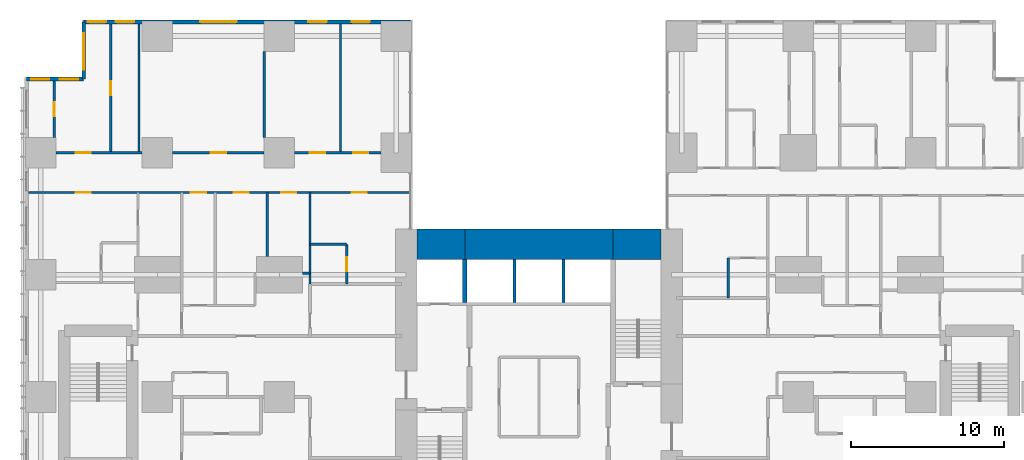
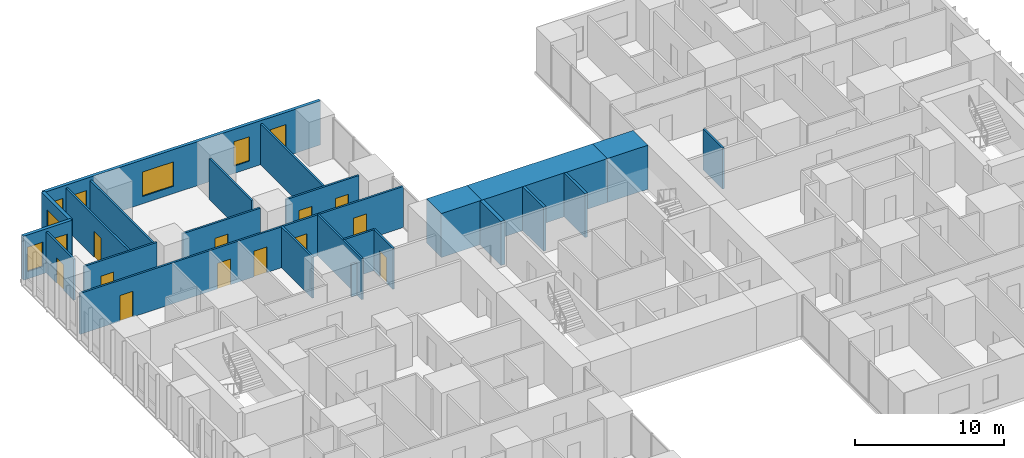
# One storey, part 17 of 21: 24 walls, 12 doors, 8 windows, 20 openings.
"""IFC4 building model written with IfcOpenShell, lengths in metres."""

from ifc_helpers import new_model, si_unit, direction, frame, frame_2d, origin, place, context, subcontext, project, spatial, rectangle, extrude, material, layer, layer_set, type_object, element, fill, save


model = new_model("IFC4")

# Units and contexts
model_context = context("Model", 3, precision=1e-05, world=origin(), true_north=direction((0.0, 1.0)))
body_context = subcontext(model_context, "Body", "Model", "MODEL_VIEW")
ifc_project = project(units=[si_unit("LENGTHUNIT", "METRE"), si_unit("AREAUNIT", "SQUARE_METRE"), si_unit("VOLUMEUNIT", "CUBIC_METRE"), si_unit("PLANEANGLEUNIT", "RADIAN"), si_unit("MASSUNIT", "GRAM", prefix="KILO")], contexts=[model_context])

# Site, building, storey
site_placement = place(None, origin())
site = spatial("IfcSite", under=ifc_project, at=site_placement, CompositionType="ELEMENT")
building_placement = place(site_placement, origin())
building = spatial("IfcBuilding", under=site, at=building_placement, Name="Cleftline Residences", CompositionType="ELEMENT")
storey_placement = place(building_placement, frame((0.0, 0.0, 65.60009765625)))
storey = spatial("IfcBuildingStorey", under=building, at=storey_placement, Name="L16", CompositionType="ELEMENT", Elevation=65.60009765625)

# Walls
ifc_material_1 = material(Name="Concrete B70", Category="concrete")
ifc_layer_1 = layer(ifc_material_1, 2.0)
ifc_layer_set_1 = layer_set([ifc_layer_1], Name="CORE WALL 2000")
wall_type_1 = type_object("IfcWallType", Name="CORE WALL 2000", PredefinedType="SHEAR", material=ifc_layer_set_1)
wall_1_placement = place(storey_placement, frame((25.0, 34.0, 0.0), z_axis=(0.0, 0.0, 1.0), x_axis=(1.0, 0.0, 0.0)))
element("IfcWall", 1, at=wall_1_placement, inside=storey, type_object=wall_type_1, Name="Core wall N1", PredefinedType="SHEAR", context=body_context, shape_type="SweptSolid", body=[
    extrude(rectangle(XDim=3.14990234375, YDim=2.0, at=frame_2d((1.574951171875, 0.0))), origin(), (0.0, 0.0, 1.0), 3.599853515625),
])
wall_2_placement = place(storey_placement, frame((28.14990234375, 34.0, 0.0), z_axis=(0.0, 0.0, 1.0), x_axis=(1.0, 0.0, 0.0)))
element("IfcWall", 2, at=wall_2_placement, inside=storey, type_object=wall_type_1, Name="Core wall N2", PredefinedType="SHEAR", context=body_context, shape_type="SweptSolid", body=[
    extrude(rectangle(XDim=9.7001953125, YDim=2.0, at=frame_2d((4.85009765625, 0.0))), origin(), (0.0, 0.0, 1.0), 3.599853515625),
])
wall_3_placement = place(storey_placement, frame((37.85009765625, 34.0, 0.0), z_axis=(0.0, 0.0, 1.0), x_axis=(1.0, 0.0, 0.0)))
element("IfcWall", 3, at=wall_3_placement, inside=storey, type_object=wall_type_1, Name="Core wall N3", PredefinedType="SHEAR", context=body_context, shape_type="SweptSolid", body=[
    extrude(rectangle(XDim=3.14990234375, YDim=2.0, at=frame_2d((1.574951171875, 0.0))), origin(), (0.0, 0.0, 1.0), 3.599853515625),
])
ifc_material_2 = material(Name="Concrete B70", Category="concrete")
ifc_layer_2 = layer(ifc_material_2, 0.300048828125)
ifc_layer_set_2 = layer_set([ifc_layer_2], Name="CORE WALL 300")
wall_type_2 = type_object("IfcWallType", Name="CORE WALL 300", PredefinedType="SHEAR", material=ifc_layer_set_2)
wall_4_placement = place(storey_placement, frame((28.14990234375, 30.199951171875, 0.0), z_axis=(0.0, 0.0, 1.0), x_axis=(0.0, 1.0, 0.0)))
element("IfcWall", 4, at=wall_4_placement, inside=storey, type_object=wall_type_2, Name="Lift shaft wall", PredefinedType="SHEAR", context=body_context, shape_type="SweptSolid", body=[
    extrude(rectangle(XDim=2.800048828125, YDim=0.300048828125, at=frame_2d((1.39990234375, 0.0))), origin(), (0.0, 0.0, 1.0), 3.599853515625),
])

# Wall, openings, windows
ifc_material_3 = material(Name="Rendered reinforced concrete blockwork", Category="masonry")
ifc_layer_3 = layer(ifc_material_3, 0.25)
ifc_layer_set_3 = layer_set([ifc_layer_3], Name="EXTERNAL WALL 250")
wall_type_3 = type_object("IfcWallType", Name="EXTERNAL WALL 250", PredefinedType="SOLIDWALL", material=ifc_layer_set_3)
wall_5_placement = place(storey_placement, frame((24.574951171875, 48.574951171875, 0.0), z_axis=(0.0, 0.0, 1.0), x_axis=(-1.0, 0.0, 0.0)))
wall_5 = element("IfcWall", 5, at=wall_5_placement, inside=storey, type_object=wall_type_3, Name="External wall", PredefinedType="SOLIDWALL", context=body_context, shape_type="SweptSolid", body=[
    extrude(rectangle(XDim=21.39990234375, YDim=0.25, at=frame_2d((10.699951171875, 0.0))), origin(), (0.0, 0.0, 1.0), 3.599853515625),
])
opening_1_placement = place(wall_5_placement, frame((2.64990234375, 0.0, 0.60009765625)))
opening_1 = element("IfcOpeningElement", 6, at=opening_1_placement, cuts=wall_5, Name="Opening W8", PredefinedType="OPENING", context=body_context, shape_type="SweptSolid", body=[
    extrude(rectangle(XDim=1.199951171875, YDim=2.0, at=frame_2d((0.60009765625, 1.0))), frame((0.0, 0.135009765625, 0.0), z_axis=(0.0, -1.0, 0.0), x_axis=(1.0, 0.0, 0.0)), (0.0, 0.0, 1.0), 0.27001953125),
])
opening_2_placement = place(wall_5_placement, frame((5.47509765625, 0.0, 0.60009765625)))
opening_2 = element("IfcOpeningElement", 7, at=opening_2_placement, cuts=wall_5, Name="Opening W8", PredefinedType="OPENING", context=body_context, shape_type="SweptSolid", body=[
    extrude(rectangle(XDim=1.199951171875, YDim=2.0, at=frame_2d((0.60009765625, 1.0))), frame((0.0, 0.135009765625, 0.0), z_axis=(0.0, -1.0, 0.0), x_axis=(1.0, 0.0, 0.0)), (0.0, 0.0, 1.0), 0.27001953125),
])
opening_3_placement = place(wall_5_placement, frame((11.375, 0.0, 0.60009765625)))
opening_3 = element("IfcOpeningElement", 8, at=opening_3_placement, cuts=wall_5, Name="Opening W6", PredefinedType="OPENING", context=body_context, shape_type="SweptSolid", body=[
    extrude(rectangle(XDim=2.39990234375, YDim=2.0, at=frame_2d((1.199951171875, 1.0))), frame((0.0, 0.135009765625, 0.0), z_axis=(0.0, -1.0, 0.0), x_axis=(1.0, 0.0, 0.0)), (0.0, 0.0, 1.0), 0.27001953125),
])
opening_4_placement = place(wall_5_placement, frame((18.10009765625, 0.0, 0.60009765625)))
opening_4 = element("IfcOpeningElement", 9, at=opening_4_placement, cuts=wall_5, Name="Opening W8", PredefinedType="OPENING", context=body_context, shape_type="SweptSolid", body=[
    extrude(rectangle(XDim=1.199951171875, YDim=2.0, at=frame_2d((0.60009765625, 1.0))), frame((0.0, 0.135009765625, 0.0), z_axis=(0.0, -1.0, 0.0), x_axis=(1.0, 0.0, 0.0)), (0.0, 0.0, 1.0), 0.27001953125),
])
opening_5_placement = place(wall_5_placement, frame((19.925048828125, 0.0, 0.60009765625)))
opening_5 = element("IfcOpeningElement", 10, at=opening_5_placement, cuts=wall_5, Name="Opening W8", PredefinedType="OPENING", context=body_context, shape_type="SweptSolid", body=[
    extrude(rectangle(XDim=1.199951171875, YDim=2.0, at=frame_2d((0.60009765625, 1.0))), frame((0.0, 0.135009765625, 0.0), z_axis=(0.0, -1.0, 0.0), x_axis=(1.0, 0.0, 0.0)), (0.0, 0.0, 1.0), 0.27001953125),
])
ifc_material_4 = material(Name="Aluminium frame, clear double glazing", Category="aluminium")
window_type_1 = type_object("IfcWindowType", Name="WINDOW 1200X2000", PartitioningType="DOUBLE_PANEL_VERTICAL", PredefinedType="WINDOW", material=ifc_material_4)
window_1_placement = place(opening_1_placement, origin())
window_1 = element("IfcWindow", 11, at=window_1_placement, inside=storey, type_object=window_type_1, Name="Window", OverallHeight=2.0, OverallWidth=1.199951171875, PartitioningType="SINGLE_PANEL", PredefinedType="WINDOW", context=body_context, shape_type="SweptSolid", body=[
    extrude(rectangle(XDim=1.199951171875, YDim=2.0, at=frame_2d((0.60009765625, 1.0))), frame((0.0, 0.030029296875, 0.0), z_axis=(0.0, -1.0, 0.0), x_axis=(1.0, 0.0, 0.0)), (0.0, 0.0, 1.0), 0.06005859375),
])
fill(opening_1, window_1)
window_2_placement = place(opening_2_placement, origin())
window_2 = element("IfcWindow", 12, at=window_2_placement, inside=storey, type_object=window_type_1, Name="Window", OverallHeight=2.0, OverallWidth=1.199951171875, PartitioningType="SINGLE_PANEL", PredefinedType="WINDOW", context=body_context, shape_type="SweptSolid", body=[
    extrude(rectangle(XDim=1.199951171875, YDim=2.0, at=frame_2d((0.60009765625, 1.0))), frame((0.0, 0.030029296875, 0.0), z_axis=(0.0, -1.0, 0.0), x_axis=(1.0, 0.0, 0.0)), (0.0, 0.0, 1.0), 0.06005859375),
])
fill(opening_2, window_2)
window_3_placement = place(opening_4_placement, origin())
window_3 = element("IfcWindow", 13, at=window_3_placement, inside=storey, type_object=window_type_1, Name="Window", OverallHeight=2.0, OverallWidth=1.199951171875, PartitioningType="SINGLE_PANEL", PredefinedType="WINDOW", context=body_context, shape_type="SweptSolid", body=[
    extrude(rectangle(XDim=1.199951171875, YDim=2.0, at=frame_2d((0.60009765625, 1.0))), frame((0.0, 0.030029296875, 0.0), z_axis=(0.0, -1.0, 0.0), x_axis=(1.0, 0.0, 0.0)), (0.0, 0.0, 1.0), 0.06005859375),
])
fill(opening_4, window_3)
window_4_placement = place(opening_5_placement, origin())
window_4 = element("IfcWindow", 14, at=window_4_placement, inside=storey, type_object=window_type_1, Name="Window", OverallHeight=2.0, OverallWidth=1.199951171875, PartitioningType="SINGLE_PANEL", PredefinedType="WINDOW", context=body_context, shape_type="SweptSolid", body=[
    extrude(rectangle(XDim=1.199951171875, YDim=2.0, at=frame_2d((0.60009765625, 1.0))), frame((0.0, 0.030029296875, 0.0), z_axis=(0.0, -1.0, 0.0), x_axis=(1.0, 0.0, 0.0)), (0.0, 0.0, 1.0), 0.06005859375),
])
fill(opening_5, window_4)
ifc_material_5 = material(Name="Aluminium frame, clear double glazing", Category="aluminium")
window_type_2 = type_object("IfcWindowType", Name="WINDOW 2400X2000", PartitioningType="DOUBLE_PANEL_VERTICAL", PredefinedType="WINDOW", material=ifc_material_5)
window_5_placement = place(opening_3_placement, origin())
window_5 = element("IfcWindow", 15, at=window_5_placement, inside=storey, type_object=window_type_2, Name="Window", OverallHeight=2.0, OverallWidth=2.39990234375, PartitioningType="SINGLE_PANEL", PredefinedType="WINDOW", context=body_context, shape_type="SweptSolid", body=[
    extrude(rectangle(XDim=2.39990234375, YDim=2.0, at=frame_2d((1.199951171875, 1.0))), frame((0.0, 0.030029296875, 0.0), z_axis=(0.0, -1.0, 0.0), x_axis=(1.0, 0.0, 0.0)), (0.0, 0.0, 1.0), 0.06005859375),
])
fill(opening_3, window_5)

# Wall, opening, window
wall_6_placement = place(storey_placement, frame((3.175048828125, 48.574951171875, 0.0), z_axis=(0.0, 0.0, 1.0), x_axis=(0.0, -1.0, 0.0)))
wall_6 = element("IfcWall", 16, at=wall_6_placement, inside=storey, type_object=wall_type_3, Name="External wall", PredefinedType="SOLIDWALL", context=body_context, shape_type="SweptSolid", body=[
    extrude(rectangle(XDim=3.75, YDim=0.25, at=frame_2d((1.875, 0.0))), origin(), (0.0, 0.0, 1.0), 3.599853515625),
])
opening_6_placement = place(wall_6_placement, frame((0.737548828125, 0.0, 0.60009765625)))
opening_6 = element("IfcOpeningElement", 17, at=opening_6_placement, cuts=wall_6, Name="Opening W6", PredefinedType="OPENING", context=body_context, shape_type="SweptSolid", body=[
    extrude(rectangle(XDim=2.39990234375, YDim=2.0, at=frame_2d((1.199951171875, 1.0))), frame((0.0, 0.135009765625, 0.0), z_axis=(0.0, -1.0, 0.0), x_axis=(1.0, 0.0, 0.0)), (0.0, 0.0, 1.0), 0.27001953125),
])
window_6_placement = place(opening_6_placement, origin())
window_6 = element("IfcWindow", 18, at=window_6_placement, inside=storey, type_object=window_type_2, Name="Window", OverallHeight=2.0, OverallWidth=2.39990234375, PartitioningType="SINGLE_PANEL", PredefinedType="WINDOW", context=body_context, shape_type="SweptSolid", body=[
    extrude(rectangle(XDim=2.39990234375, YDim=2.0, at=frame_2d((1.199951171875, 1.0))), frame((0.0, 0.030029296875, 0.0), z_axis=(0.0, -1.0, 0.0), x_axis=(1.0, 0.0, 0.0)), (0.0, 0.0, 1.0), 0.06005859375),
])
fill(opening_6, window_6)

# Wall, openings, windows
wall_7_placement = place(storey_placement, frame((3.175048828125, 44.824951171875, 0.0), z_axis=(0.0, 0.0, 1.0), x_axis=(-1.0, 0.0, 0.0)))
wall_7 = element("IfcWall", 19, at=wall_7_placement, inside=storey, type_object=wall_type_3, Name="External wall", PredefinedType="SOLIDWALL", context=body_context, shape_type="SweptSolid", body=[
    extrude(rectangle(XDim=3.75, YDim=0.25, at=frame_2d((1.875, 0.0))), origin(), (0.0, 0.0, 1.0), 3.599853515625),
])
opening_7_placement = place(wall_7_placement, frame((0.362548828125, 0.0, 0.60009765625)))
opening_7 = element("IfcOpeningElement", 20, at=opening_7_placement, cuts=wall_7, Name="Opening W8", PredefinedType="OPENING", context=body_context, shape_type="SweptSolid", body=[
    extrude(rectangle(XDim=1.199951171875, YDim=2.0, at=frame_2d((0.60009765625, 1.0))), frame((0.0, 0.135009765625, 0.0), z_axis=(0.0, -1.0, 0.0), x_axis=(1.0, 0.0, 0.0)), (0.0, 0.0, 1.0), 0.27001953125),
])
opening_8_placement = place(wall_7_placement, frame((2.25, 0.0, 0.60009765625)))
opening_8 = element("IfcOpeningElement", 21, at=opening_8_placement, cuts=wall_7, Name="Opening W8", PredefinedType="OPENING", context=body_context, shape_type="SweptSolid", body=[
    extrude(rectangle(XDim=1.199951171875, YDim=2.0, at=frame_2d((0.60009765625, 1.0))), frame((0.0, 0.135009765625, 0.0), z_axis=(0.0, -1.0, 0.0), x_axis=(1.0, 0.0, 0.0)), (0.0, 0.0, 1.0), 0.27001953125),
])
window_7_placement = place(opening_7_placement, origin())
window_7 = element("IfcWindow", 22, at=window_7_placement, inside=storey, type_object=window_type_1, Name="Window", OverallHeight=2.0, OverallWidth=1.199951171875, PartitioningType="SINGLE_PANEL", PredefinedType="WINDOW", context=body_context, shape_type="SweptSolid", body=[
    extrude(rectangle(XDim=1.199951171875, YDim=2.0, at=frame_2d((0.60009765625, 1.0))), frame((0.0, 0.030029296875, 0.0), z_axis=(0.0, -1.0, 0.0), x_axis=(1.0, 0.0, 0.0)), (0.0, 0.0, 1.0), 0.06005859375),
])
fill(opening_7, window_7)
window_8_placement = place(opening_8_placement, origin())
window_8 = element("IfcWindow", 23, at=window_8_placement, inside=storey, type_object=window_type_1, Name="Window", OverallHeight=2.0, OverallWidth=1.199951171875, PartitioningType="SINGLE_PANEL", PredefinedType="WINDOW", context=body_context, shape_type="SweptSolid", body=[
    extrude(rectangle(XDim=1.199951171875, YDim=2.0, at=frame_2d((0.60009765625, 1.0))), frame((0.0, 0.030029296875, 0.0), z_axis=(0.0, -1.0, 0.0), x_axis=(1.0, 0.0, 0.0)), (0.0, 0.0, 1.0), 0.06005859375),
])
fill(opening_8, window_8)

# Walls
ifc_material_6 = material(Name="Gypsum board on steel studs", Category="steel")
ifc_layer_4 = layer(ifc_material_6, 0.14990234375)
ifc_layer_set_4 = layer_set([ifc_layer_4], Name="PARTITION 150")
wall_type_4 = type_object("IfcWallType", Name="PARTITION 150", PredefinedType="PARTITIONING", material=ifc_layer_set_4)
wall_8_placement = place(storey_placement, frame((17.5, 32.10009765625, 0.0), z_axis=(0.0, 0.0, 1.0), x_axis=(1.0, 0.0, 0.0)))
element("IfcWall", 24, at=wall_8_placement, inside=storey, type_object=wall_type_4, Name="Partition", PredefinedType="PARTITIONING", context=body_context, shape_type="SweptSolid", body=[
    extrude(rectangle(XDim=0.5, YDim=0.14990234375, at=frame_2d((0.25, 0.0))), origin(), (0.0, 0.0, 1.0), 2.6337890625),
])
wall_9_placement = place(storey_placement, frame((18.0, 34.0, 0.0), z_axis=(0.0, 0.0, 1.0), x_axis=(1.0, 0.0, 0.0)))
element("IfcWall", 25, at=wall_9_placement, inside=storey, type_object=wall_type_4, Name="Partition", PredefinedType="PARTITIONING", context=body_context, shape_type="SweptSolid", body=[
    extrude(rectangle(XDim=2.39990234375, YDim=0.14990234375, at=frame_2d((1.199951171875, 0.0))), origin(), (0.0, 0.0, 1.0), 3.349853515625),
])

# Wall, openings, doors
wall_10_placement = place(storey_placement, frame((-0.449951171875, 37.39990234375, 0.0), z_axis=(0.0, 0.0, 1.0), x_axis=(1.0, 0.0, 0.0)))
wall_10 = element("IfcWall", 26, at=wall_10_placement, inside=storey, type_object=wall_type_4, Name="Partition", PredefinedType="PARTITIONING", context=body_context, shape_type="SweptSolid", body=[
    extrude(rectangle(XDim=25.010986328125, YDim=0.14990234375, at=frame_2d((12.50537109375, 0.0))), origin(), (0.0, 0.0, 1.0), 3.349853515625),
])
opening_9_placement = place(wall_10_placement, frame((10.64990234375, 0.0, 0.0)))
opening_9 = element("IfcOpeningElement", 27, at=opening_9_placement, cuts=wall_10, Name="Opening D2", PredefinedType="OPENING", context=body_context, shape_type="SweptSolid", body=[
    extrude(rectangle(XDim=1.0, YDim=2.10009765625, at=frame_2d((0.5, 1.050048828125))), frame((0.0, 0.0849609375, 0.0), z_axis=(0.0, -1.0, 0.0), x_axis=(1.0, 0.0, 0.0)), (0.0, 0.0, 1.0), 0.169921875),
])
opening_10_placement = place(wall_10_placement, frame((3.08740234375, 0.0, 0.0)))
opening_10 = element("IfcOpeningElement", 28, at=opening_10_placement, cuts=wall_10, Name="Opening D2", PredefinedType="OPENING", context=body_context, shape_type="SweptSolid", body=[
    extrude(rectangle(XDim=1.0, YDim=2.10009765625, at=frame_2d((0.5, 1.050048828125))), frame((0.0, 0.0849609375, 0.0), z_axis=(0.0, -1.0, 0.0), x_axis=(1.0, 0.0, 0.0)), (0.0, 0.0, 1.0), 0.169921875),
])
opening_11_placement = place(wall_10_placement, frame((13.449951171875, 0.0, 0.0)))
opening_11 = element("IfcOpeningElement", 29, at=opening_11_placement, cuts=wall_10, Name="Opening D2", PredefinedType="OPENING", context=body_context, shape_type="SweptSolid", body=[
    extrude(rectangle(XDim=1.0, YDim=2.10009765625, at=frame_2d((0.5, 1.050048828125))), frame((0.0, 0.0849609375, 0.0), z_axis=(0.0, -1.0, 0.0), x_axis=(1.0, 0.0, 0.0)), (0.0, 0.0, 1.0), 0.169921875),
])
opening_12_placement = place(wall_10_placement, frame((16.550048828125, 0.0, 0.0)))
opening_12 = element("IfcOpeningElement", 30, at=opening_12_placement, cuts=wall_10, Name="Opening D2", PredefinedType="OPENING", context=body_context, shape_type="SweptSolid", body=[
    extrude(rectangle(XDim=1.0, YDim=2.10009765625, at=frame_2d((0.5, 1.050048828125))), frame((0.0, 0.0849609375, 0.0), z_axis=(0.0, -1.0, 0.0), x_axis=(1.0, 0.0, 0.0)), (0.0, 0.0, 1.0), 0.169921875),
])
opening_13_placement = place(wall_10_placement, frame((21.175048828125, 0.0, 0.0)))
opening_13 = element("IfcOpeningElement", 31, at=opening_13_placement, cuts=wall_10, Name="Opening D2", PredefinedType="OPENING", context=body_context, shape_type="SweptSolid", body=[
    extrude(rectangle(XDim=1.0, YDim=2.10009765625, at=frame_2d((0.5, 1.050048828125))), frame((0.0, 0.0849609375, 0.0), z_axis=(0.0, -1.0, 0.0), x_axis=(1.0, 0.0, 0.0)), (0.0, 0.0, 1.0), 0.169921875),
])
ifc_material_7 = material(Name="Timber veneer on solid core", Category="wood")
door_type_1 = type_object("IfcDoorType", Name="DOOR 1000X2100", OperationType="SINGLE_SWING_LEFT", PredefinedType="DOOR", material=ifc_material_7)
door_1_placement = place(opening_9_placement, origin())
door_1 = element("IfcDoor", 32, at=door_1_placement, inside=storey, type_object=door_type_1, Name="Door to residence hall", OperationType="SINGLE_SWING_RIGHT", OverallHeight=2.10009765625, OverallWidth=1.0, PredefinedType="DOOR", context=body_context, shape_type="SweptSolid", body=[
    extrude(rectangle(XDim=1.0, YDim=2.10009765625, at=frame_2d((0.5, 1.050048828125))), frame((0.0, 0.02490234375, 0.0), z_axis=(0.0, -1.0, 0.0), x_axis=(1.0, 0.0, 0.0)), (0.0, 0.0, 1.0), 0.050048828125),
])
fill(opening_9, door_1)
door_2_placement = place(opening_10_placement, origin())
door_2 = element("IfcDoor", 33, at=door_2_placement, inside=storey, type_object=door_type_1, Name="Door to master bedroom", OperationType="SINGLE_SWING_RIGHT", OverallHeight=2.10009765625, OverallWidth=1.0, PredefinedType="DOOR", context=body_context, shape_type="SweptSolid", body=[
    extrude(rectangle(XDim=1.0, YDim=2.10009765625, at=frame_2d((0.5, 1.050048828125))), frame((0.0, 0.02490234375, 0.0), z_axis=(0.0, -1.0, 0.0), x_axis=(1.0, 0.0, 0.0)), (0.0, 0.0, 1.0), 0.050048828125),
])
fill(opening_10, door_2)
door_3_placement = place(opening_11_placement, origin())
door_3 = element("IfcDoor", 34, at=door_3_placement, inside=storey, type_object=door_type_1, Name="Door to family room", OperationType="SINGLE_SWING_LEFT", OverallHeight=2.10009765625, OverallWidth=1.0, PredefinedType="DOOR", context=body_context, shape_type="SweptSolid", body=[
    extrude(rectangle(XDim=1.0, YDim=2.10009765625, at=frame_2d((0.5, 1.050048828125))), frame((0.0, 0.02490234375, 0.0), z_axis=(0.0, -1.0, 0.0), x_axis=(1.0, 0.0, 0.0)), (0.0, 0.0, 1.0), 0.050048828125),
])
fill(opening_11, door_3)
door_4_placement = place(opening_12_placement, origin())
door_4 = element("IfcDoor", 35, at=door_4_placement, inside=storey, type_object=door_type_1, Name="Door to wet kitchen", OperationType="SINGLE_SWING_LEFT", OverallHeight=2.10009765625, OverallWidth=1.0, PredefinedType="DOOR", context=body_context, shape_type="SweptSolid", body=[
    extrude(rectangle(XDim=1.0, YDim=2.10009765625, at=frame_2d((0.5, 1.050048828125))), frame((0.0, 0.02490234375, 0.0), z_axis=(0.0, -1.0, 0.0), x_axis=(1.0, 0.0, 0.0)), (0.0, 0.0, 1.0), 0.050048828125),
])
fill(opening_12, door_4)
door_5_placement = place(opening_13_placement, origin())
door_5 = element("IfcDoor", 36, at=door_5_placement, inside=storey, type_object=door_type_1, Name="Door to bedroom 3", OperationType="SINGLE_SWING_LEFT", OverallHeight=2.10009765625, OverallWidth=1.0, PredefinedType="DOOR", context=body_context, shape_type="SweptSolid", body=[
    extrude(rectangle(XDim=1.0, YDim=2.10009765625, at=frame_2d((0.5, 1.050048828125))), frame((0.0, 0.02490234375, 0.0), z_axis=(0.0, -1.0, 0.0), x_axis=(1.0, 0.0, 0.0)), (0.0, 0.0, 1.0), 0.050048828125),
])
fill(opening_13, door_5)

# Wall, opening, door
wall_11_placement = place(storey_placement, frame((1.35009765625, 40.0, 0.0), z_axis=(0.0, 0.0, 1.0), x_axis=(1.0, 0.0, 0.0)))
wall_11 = element("IfcWall", 37, at=wall_11_placement, inside=storey, type_object=wall_type_4, Name="Partition", PredefinedType="PARTITIONING", context=body_context, shape_type="SweptSolid", body=[
    extrude(rectangle(XDim=5.64990234375, YDim=0.14990234375, at=frame_2d((2.824951171875, 0.0))), origin(), (0.0, 0.0, 1.0), 3.349853515625),
])
opening_14_placement = place(wall_11_placement, frame((1.300048828125, 0.0, 0.0)))
opening_14 = element("IfcOpeningElement", 38, at=opening_14_placement, cuts=wall_11, Name="Opening D2", PredefinedType="OPENING", context=body_context, shape_type="SweptSolid", body=[
    extrude(rectangle(XDim=1.0, YDim=2.10009765625, at=frame_2d((0.5, 1.050048828125))), frame((0.0, 0.0849609375, 0.0), z_axis=(0.0, -1.0, 0.0), x_axis=(1.0, 0.0, 0.0)), (0.0, 0.0, 1.0), 0.169921875),
])
door_6_placement = place(opening_14_placement, origin())
door_6 = element("IfcDoor", 39, at=door_6_placement, inside=storey, type_object=door_type_1, Name="Door to bedroom 2", OperationType="SINGLE_SWING_RIGHT", OverallHeight=2.10009765625, OverallWidth=1.0, PredefinedType="DOOR", context=body_context, shape_type="SweptSolid", body=[
    extrude(rectangle(XDim=1.0, YDim=2.10009765625, at=frame_2d((0.5, 1.050048828125))), frame((0.0, 0.02490234375, 0.0), z_axis=(0.0, -1.0, 0.0), x_axis=(1.0, 0.0, 0.0)), (0.0, 0.0, 1.0), 0.050048828125),
])
fill(opening_14, door_6)

wall_12_placement = place(storey_placement, frame((9.0, 40.0, 0.0), z_axis=(0.0, 0.0, 1.0), x_axis=(1.0, 0.0, 0.0)))
wall_12 = element("IfcWall", 40, at=wall_12_placement, inside=storey, type_object=wall_type_4, Name="Partition", PredefinedType="PARTITIONING", context=body_context, shape_type="SweptSolid", body=[
    extrude(rectangle(XDim=6.0, YDim=0.14990234375, at=frame_2d((3.0, 0.0))), origin(), (0.0, 0.0, 1.0), 3.349853515625),
])
opening_15_placement = place(wall_12_placement, frame((2.5, 0.0, 0.0)))
opening_15 = element("IfcOpeningElement", 41, at=opening_15_placement, cuts=wall_12, Name="Opening D2", PredefinedType="OPENING", context=body_context, shape_type="SweptSolid", body=[
    extrude(rectangle(XDim=1.0, YDim=2.10009765625, at=frame_2d((0.5, 1.050048828125))), frame((0.0, 0.0849609375, 0.0), z_axis=(0.0, -1.0, 0.0), x_axis=(1.0, 0.0, 0.0)), (0.0, 0.0, 1.0), 0.169921875),
])
door_7_placement = place(opening_15_placement, origin())
door_7 = element("IfcDoor", 42, at=door_7_placement, inside=storey, type_object=door_type_1, Name="Door to living room", OperationType="SINGLE_SWING_LEFT", OverallHeight=2.10009765625, OverallWidth=1.0, PredefinedType="DOOR", context=body_context, shape_type="SweptSolid", body=[
    extrude(rectangle(XDim=1.0, YDim=2.10009765625, at=frame_2d((0.5, 1.050048828125))), frame((0.0, 0.02490234375, 0.0), z_axis=(0.0, -1.0, 0.0), x_axis=(1.0, 0.0, 0.0)), (0.0, 0.0, 1.0), 0.050048828125),
])
fill(opening_15, door_7)

# Wall, openings, doors
wall_13_placement = place(storey_placement, frame((17.0, 40.0, 0.0), z_axis=(0.0, 0.0, 1.0), x_axis=(1.0, 0.0, 0.0)))
wall_13 = element("IfcWall", 43, at=wall_13_placement, inside=storey, type_object=wall_type_4, Name="Partition", PredefinedType="PARTITIONING", context=body_context, shape_type="SweptSolid", body=[
    extrude(rectangle(XDim=5.64990234375, YDim=0.14990234375, at=frame_2d((2.824951171875, 0.0))), origin(), (0.0, 0.0, 1.0), 3.349853515625),
])
opening_16_placement = place(wall_13_placement, frame((1.0, 0.0, 0.0)))
opening_16 = element("IfcOpeningElement", 44, at=opening_16_placement, cuts=wall_13, Name="Opening D2", PredefinedType="OPENING", context=body_context, shape_type="SweptSolid", body=[
    extrude(rectangle(XDim=1.0, YDim=2.10009765625, at=frame_2d((0.5, 1.050048828125))), frame((0.0, 0.0849609375, 0.0), z_axis=(0.0, -1.0, 0.0), x_axis=(1.0, 0.0, 0.0)), (0.0, 0.0, 1.0), 0.169921875),
])
opening_17_placement = place(wall_13_placement, frame((3.824951171875, 0.0, 0.0)))
opening_17 = element("IfcOpeningElement", 45, at=opening_17_placement, cuts=wall_13, Name="Opening D2", PredefinedType="OPENING", context=body_context, shape_type="SweptSolid", body=[
    extrude(rectangle(XDim=1.0, YDim=2.10009765625, at=frame_2d((0.5, 1.050048828125))), frame((0.0, 0.0849609375, 0.0), z_axis=(0.0, -1.0, 0.0), x_axis=(1.0, 0.0, 0.0)), (0.0, 0.0, 1.0), 0.169921875),
])
door_8_placement = place(opening_16_placement, origin())
door_8 = element("IfcDoor", 46, at=door_8_placement, inside=storey, type_object=door_type_1, Name="Door to dining room", OperationType="SINGLE_SWING_RIGHT", OverallHeight=2.10009765625, OverallWidth=1.0, PredefinedType="DOOR", context=body_context, shape_type="SweptSolid", body=[
    extrude(rectangle(XDim=1.0, YDim=2.10009765625, at=frame_2d((0.5, 1.050048828125))), frame((0.0, 0.02490234375, 0.0), z_axis=(0.0, -1.0, 0.0), x_axis=(1.0, 0.0, 0.0)), (0.0, 0.0, 1.0), 0.050048828125),
])
fill(opening_16, door_8)
door_9_placement = place(opening_17_placement, origin())
door_9 = element("IfcDoor", 47, at=door_9_placement, inside=storey, type_object=door_type_1, Name="Door to show kitchen", OperationType="SINGLE_SWING_LEFT", OverallHeight=2.10009765625, OverallWidth=1.0, PredefinedType="DOOR", context=body_context, shape_type="SweptSolid", body=[
    extrude(rectangle(XDim=1.0, YDim=2.10009765625, at=frame_2d((0.5, 1.050048828125))), frame((0.0, 0.02490234375, 0.0), z_axis=(0.0, -1.0, 0.0), x_axis=(1.0, 0.0, 0.0)), (0.0, 0.0, 1.0), 0.050048828125),
])
fill(opening_17, door_9)

# Wall, opening, door
wall_14_placement = place(storey_placement, frame((1.25, 41.0, 0.0), z_axis=(0.0, 0.0, 1.0), x_axis=(0.0, 1.0, 0.0)))
wall_14 = element("IfcWall", 48, at=wall_14_placement, inside=storey, type_object=wall_type_4, Name="Partition", PredefinedType="PARTITIONING", context=body_context, shape_type="SweptSolid", body=[
    extrude(rectangle(XDim=3.699951171875, YDim=0.14990234375, at=frame_2d((1.85009765625, 0.0))), origin(), (0.0, 0.0, 1.0), 3.349853515625),
])
opening_18_placement = place(wall_14_placement, frame((1.39990234375, 0.0, 0.0)))
opening_18 = element("IfcOpeningElement", 49, at=opening_18_placement, cuts=wall_14, Name="Opening D1", PredefinedType="OPENING", context=body_context, shape_type="SweptSolid", body=[
    extrude(rectangle(XDim=0.89990234375, YDim=2.10009765625, at=frame_2d((0.449951171875, 1.050048828125))), frame((0.0, 0.0849609375, 0.0), z_axis=(0.0, -1.0, 0.0), x_axis=(1.0, 0.0, 0.0)), (0.0, 0.0, 1.0), 0.169921875),
])
ifc_material_8 = material(Name="Timber veneer on solid core", Category="wood")
door_type_2 = type_object("IfcDoorType", Name="DOOR 900X2100", OperationType="SINGLE_SWING_LEFT", PredefinedType="DOOR", material=ifc_material_8)
door_10_placement = place(opening_18_placement, origin())
door_10 = element("IfcDoor", 50, at=door_10_placement, inside=storey, type_object=door_type_2, Name="Door to walk-in wardrobe", OperationType="SINGLE_SWING_LEFT", OverallHeight=2.10009765625, OverallWidth=0.89990234375, PredefinedType="DOOR", context=body_context, shape_type="SweptSolid", body=[
    extrude(rectangle(XDim=0.89990234375, YDim=2.10009765625, at=frame_2d((0.449951171875, 1.050048828125))), frame((0.0, 0.02490234375, 0.0), z_axis=(0.0, -1.0, 0.0), x_axis=(1.0, 0.0, 0.0)), (0.0, 0.0, 1.0), 0.050048828125),
])
fill(opening_18, door_10)

wall_15_placement = place(storey_placement, frame((4.949951171875, 40.0, 0.0), z_axis=(0.0, 0.0, 1.0), x_axis=(0.0, 1.0, 0.0)))
wall_15 = element("IfcWall", 51, at=wall_15_placement, inside=storey, type_object=wall_type_4, Name="Partition", PredefinedType="PARTITIONING", context=body_context, shape_type="SweptSolid", body=[
    extrude(rectangle(XDim=8.449951171875, YDim=0.14990234375, at=frame_2d((4.22509765625, 0.0))), origin(), (0.0, 0.0, 1.0), 3.349853515625),
])
opening_19_placement = place(wall_15_placement, frame((3.77490234375, 0.0, 0.0)))
opening_19 = element("IfcOpeningElement", 52, at=opening_19_placement, cuts=wall_15, Name="Opening D1", PredefinedType="OPENING", context=body_context, shape_type="SweptSolid", body=[
    extrude(rectangle(XDim=0.89990234375, YDim=2.10009765625, at=frame_2d((0.449951171875, 1.050048828125))), frame((0.0, 0.0849609375, 0.0), z_axis=(0.0, -1.0, 0.0), x_axis=(1.0, 0.0, 0.0)), (0.0, 0.0, 1.0), 0.169921875),
])
door_11_placement = place(opening_19_placement, origin())
door_11 = element("IfcDoor", 53, at=door_11_placement, inside=storey, type_object=door_type_2, Name="Door to en-suite bathroom 2", OperationType="SINGLE_SWING_LEFT", OverallHeight=2.10009765625, OverallWidth=0.89990234375, PredefinedType="DOOR", context=body_context, shape_type="SweptSolid", body=[
    extrude(rectangle(XDim=0.89990234375, YDim=2.10009765625, at=frame_2d((0.449951171875, 1.050048828125))), frame((0.0, 0.02490234375, 0.0), z_axis=(0.0, -1.0, 0.0), x_axis=(1.0, 0.0, 0.0)), (0.0, 0.0, 1.0), 0.050048828125),
])
fill(opening_19, door_11)

# Walls
wall_16_placement = place(storey_placement, frame((6.800048828125, 40.0, 0.0), z_axis=(0.0, 0.0, 1.0), x_axis=(0.0, 1.0, 0.0)))
element("IfcWall", 54, at=wall_16_placement, inside=storey, type_object=wall_type_4, Name="Partition", PredefinedType="PARTITIONING", context=body_context, shape_type="SweptSolid", body=[
    extrude(rectangle(XDim=8.449951171875, YDim=0.14990234375, at=frame_2d((4.22509765625, 0.0))), origin(), (0.0, 0.0, 1.0), 3.349853515625),
])
wall_17_placement = place(storey_placement, frame((15.0, 41.0, 0.0), z_axis=(0.0, 0.0, 1.0), x_axis=(0.0, 1.0, 0.0)))
element("IfcWall", 55, at=wall_17_placement, inside=storey, type_object=wall_type_4, Name="Partition", PredefinedType="PARTITIONING", context=body_context, shape_type="SweptSolid", body=[
    extrude(rectangle(XDim=5.64990234375, YDim=0.14990234375, at=frame_2d((2.824951171875, 0.0))), origin(), (0.0, 0.0, 1.0), 3.349853515625),
])
wall_18_placement = place(storey_placement, frame((15.199951171875, 33.199951171875, 0.0), z_axis=(0.0, 0.0, 1.0), x_axis=(0.0, 1.0, 0.0)))
element("IfcWall", 56, at=wall_18_placement, inside=storey, type_object=wall_type_4, Name="Partition", PredefinedType="PARTITIONING", context=body_context, shape_type="SweptSolid", body=[
    extrude(rectangle(XDim=4.199951171875, YDim=0.14990234375, at=frame_2d((2.10009765625, 0.0))), origin(), (0.0, 0.0, 1.0), 3.349853515625),
])
wall_19_placement = place(storey_placement, frame((18.0, 31.39990234375, 0.0), z_axis=(0.0, 0.0, 1.0), x_axis=(0.0, 1.0, 0.0)))
element("IfcWall", 57, at=wall_19_placement, inside=storey, type_object=wall_type_4, Name="Partition", PredefinedType="PARTITIONING", context=body_context, shape_type="SweptSolid", body=[
    extrude(rectangle(XDim=6.0, YDim=0.14990234375, at=frame_2d((3.0, 0.0))), origin(), (0.0, 0.0, 1.0), 3.349853515625),
])
wall_20_placement = place(storey_placement, frame((20.0, 40.0, 0.0), z_axis=(0.0, 0.0, 1.0), x_axis=(0.0, 1.0, 0.0)))
element("IfcWall", 58, at=wall_20_placement, inside=storey, type_object=wall_type_4, Name="Partition", PredefinedType="PARTITIONING", context=body_context, shape_type="SweptSolid", body=[
    extrude(rectangle(XDim=8.449951171875, YDim=0.14990234375, at=frame_2d((4.22509765625, 0.0))), origin(), (0.0, 0.0, 1.0), 3.349853515625),
])

# Wall, opening, door
wall_21_placement = place(storey_placement, frame((20.39990234375, 31.39990234375, 0.0), z_axis=(0.0, 0.0, 1.0), x_axis=(0.0, 1.0, 0.0)))
wall_21 = element("IfcWall", 59, at=wall_21_placement, inside=storey, type_object=wall_type_4, Name="Partition", PredefinedType="PARTITIONING", context=body_context, shape_type="SweptSolid", body=[
    extrude(rectangle(XDim=2.60009765625, YDim=0.14990234375, at=frame_2d((1.300048828125, 0.0))), origin(), (0.0, 0.0, 1.0), 3.349853515625),
])
opening_20_placement = place(wall_21_placement, frame((0.85009765625, 0.0, 0.0)))
opening_20 = element("IfcOpeningElement", 60, at=opening_20_placement, cuts=wall_21, Name="Opening D1", PredefinedType="OPENING", context=body_context, shape_type="SweptSolid", body=[
    extrude(rectangle(XDim=0.89990234375, YDim=2.10009765625, at=frame_2d((0.449951171875, 1.050048828125))), frame((0.0, 0.0849609375, 0.0), z_axis=(0.0, -1.0, 0.0), x_axis=(1.0, 0.0, 0.0)), (0.0, 0.0, 1.0), 0.169921875),
])
door_12_placement = place(opening_20_placement, origin())
door_12 = element("IfcDoor", 61, at=door_12_placement, inside=storey, type_object=door_type_2, Name="Door to en-suite bathroom 3", OperationType="SINGLE_SWING_LEFT", OverallHeight=2.10009765625, OverallWidth=0.89990234375, PredefinedType="DOOR", context=body_context, shape_type="SweptSolid", body=[
    extrude(rectangle(XDim=0.89990234375, YDim=2.10009765625, at=frame_2d((0.449951171875, 1.050048828125))), frame((0.0, 0.02490234375, 0.0), z_axis=(0.0, -1.0, 0.0), x_axis=(1.0, 0.0, 0.0)), (0.0, 0.0, 1.0), 0.050048828125),
])
fill(opening_20, door_12)

# Walls
wall_22_placement = place(storey_placement, frame((45.39990234375, 30.5, 0.0), z_axis=(0.0, 0.0, 1.0), x_axis=(0.0, 1.0, 0.0)))
element("IfcWall", 62, at=wall_22_placement, inside=storey, type_object=wall_type_4, Name="Partition", PredefinedType="PARTITIONING", context=body_context, shape_type="SweptSolid", body=[
    extrude(rectangle(XDim=2.60009765625, YDim=0.14990234375, at=frame_2d((1.300048828125, 0.0))), origin(), (0.0, 0.0, 1.0), 3.349853515625),
])
ifc_material_9 = material(Name="Concrete blockwork, fire rated", Category="masonry")
ifc_layer_5 = layer(ifc_material_9, 0.199951171875)
ifc_layer_set_5 = layer_set([ifc_layer_5], Name="SHAFT WALL 200")
wall_type_5 = type_object("IfcWallType", Name="SHAFT WALL 200", PredefinedType="PARTITIONING", material=ifc_layer_set_5)
for number, where, z_axis, x_axis, name in (
    (63, (31.39990234375, 30.199951171875, 0.0), (0.0, 0.0, 1.0), (0.0, 1.0, 0.0), "Lift shaft wall"),
    (64, (34.60009765625, 30.199951171875, 0.0), (0.0, 0.0, 1.0), (0.0, 1.0, 0.0), "Lift shaft wall"),
):
    element("IfcWall", number, at=place(storey_placement, frame(where, z_axis=z_axis, x_axis=x_axis)), inside=storey, type_object=wall_type_5, Name=name, PredefinedType="PARTITIONING", context=body_context, shape_type="SweptSolid", body=[
        extrude(rectangle(XDim=2.800048828125, YDim=0.199951171875, at=frame_2d((1.39990234375, 0.0))), origin(), (0.0, 0.0, 1.0), 3.599853515625),
    ])

save(model, "model.ifc")
